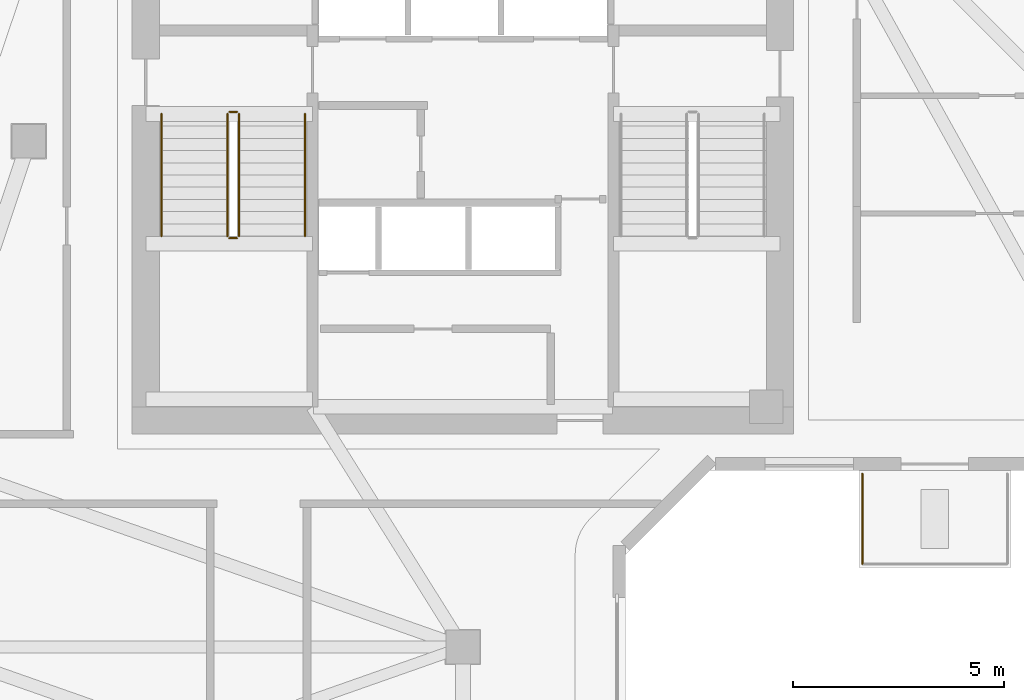
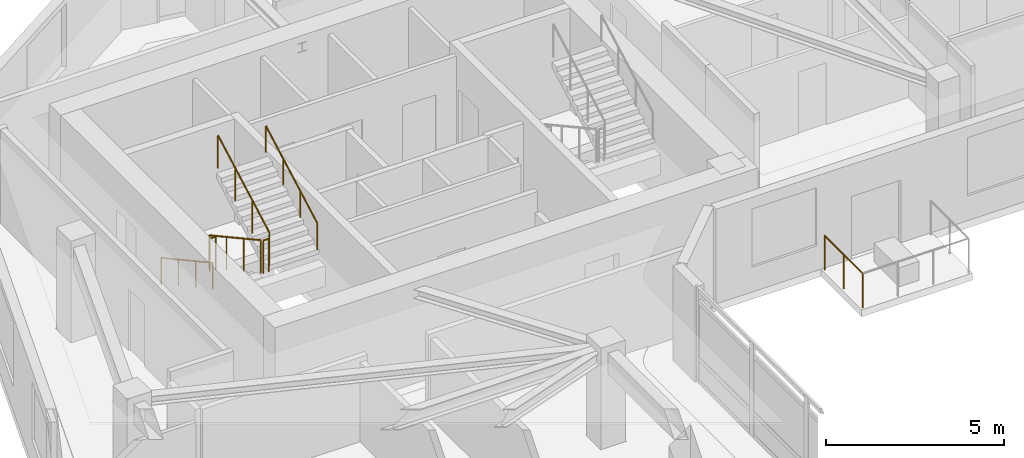
# One storey, part 7 of 9: 7 railings.
"""IFC4 building model written with IfcOpenShell, lengths in metres."""

from ifc_helpers import new_model, si_unit, direction, frame, origin, origin_2d, place, context, subcontext, project, spatial, circle, extrude, material, type_object, element, save


model = new_model("IFC4")

# Units and contexts
model_context = context("Model", 3, precision=1e-05, world=origin(), true_north=direction((0.0, 1.0)))
body_context = subcontext(model_context, "Body", "Model", "MODEL_VIEW")
ifc_project = project(units=[si_unit("LENGTHUNIT", "METRE"), si_unit("AREAUNIT", "SQUARE_METRE"), si_unit("VOLUMEUNIT", "CUBIC_METRE"), si_unit("PLANEANGLEUNIT", "RADIAN"), si_unit("MASSUNIT", "GRAM", prefix="KILO")], contexts=[model_context])

# Site, building, storey
site_placement = place(None, origin())
site = spatial("IfcSite", under=ifc_project, at=site_placement, CompositionType="ELEMENT")
building_placement = place(site_placement, origin())
building = spatial("IfcBuilding", under=site, at=building_placement, Name="Calvemar Wedge Station Tower", CompositionType="ELEMENT")
storey_placement = place(building_placement, frame((0.0, 0.0, 232.39990234375)))
storey = spatial("IfcBuildingStorey", under=building, at=storey_placement, Name="L59", CompositionType="ELEMENT", Elevation=232.39990234375)

# Railings
ifc_material_1 = material(Name="Stainless steel AISI 316L", Category="steel")
railing_type_1 = type_object("IfcRailingType", Name="GRD-TERR-1200", PredefinedType="GUARDRAIL", material=ifc_material_1)
railing_1_placement = place(storey_placement, frame((33.280029296875, 30.471923828125, 0.0)))
element("IfcRailing", 1, at=railing_1_placement, inside=storey, type_object=railing_type_1, Name="Storey L59 Spiral Terrace Guard 4", PredefinedType="GUARDRAIL", context=body_context, shape_type="SweptSolid", body=[
    extrude(circle(Radius=0.02392578125, at=origin_2d()), frame((0.0, 0.0, 1.17578125), z_axis=(0.0, 1.0, 0.0), x_axis=(-1.0, 0.0, 0.0)), (0.0, 0.0, 1.0), 2.14013671875),
    extrude(circle(Radius=0.02099609375, at=origin_2d()), origin(), (0.0, 0.0, 1.0), 1.15185546875),
    extrude(circle(Radius=0.02099609375, at=origin_2d()), frame((0.0, 1.070068359375, 0.0)), (0.0, 0.0, 1.0), 1.15185546875),
    extrude(circle(Radius=0.02099609375, at=origin_2d()), frame((0.0, 2.14013671875, 0.0)), (0.0, 0.0, 1.0), 1.15185546875),
])
railing_type_2 = type_object("IfcRailingType", Name="RL-HANDRAIL-920", PredefinedType="HANDRAIL", material=ifc_material_1)
railing_2_placement = place(storey_placement, frame((16.64990234375, 41.14990234375, 0.1591796875)))
element("IfcRailing", 2, at=railing_2_placement, inside=storey, type_object=railing_type_2, Name="L59 ST-C1 stair handrail 1", PredefinedType="HANDRAIL", context=body_context, shape_type="SweptSolid", body=[
    extrude(circle(Radius=0.02392578125, at=origin_2d()), frame((0.0, 0.0, 0.89599609375), z_axis=(0.0, -0.876742130028, 0.480960744171), x_axis=(1.0, 0.0, 0.0)), (0.0, 0.0, 1.0), 3.3076171875),
    extrude(circle(Radius=0.02099609375, at=origin_2d()), origin(), (0.0, 0.0, 1.0), 0.871826171875),
    extrude(circle(Radius=0.02099609375, at=origin_2d()), frame((0.0, -0.966552734375, 0.5302734375)), (0.0, 0.0, 1.0), 0.871826171875),
    extrude(circle(Radius=0.02099609375, at=origin_2d()), frame((0.0, -1.933349609375, 1.060546875)), (0.0, 0.0, 1.0), 0.871826171875),
    extrude(circle(Radius=0.02099609375, at=origin_2d()), frame((0.0, -2.89990234375, 1.5908203125)), (0.0, 0.0, 1.0), 0.871826171875),
])
railing_3_placement = place(storey_placement, frame((20.050048828125, 38.25, 1.9091796875)))
element("IfcRailing", 3, at=railing_3_placement, inside=storey, type_object=railing_type_2, Name="L59 ST-C1 stair handrail 2", PredefinedType="HANDRAIL", context=body_context, shape_type="SweptSolid", body=[
    extrude(circle(Radius=0.02392578125, at=origin_2d()), frame((0.0, 0.0, 0.89599609375), z_axis=(0.0, 0.876742130028, 0.480960744171), x_axis=(-1.0, 0.0, 0.0)), (0.0, 0.0, 1.0), 3.3076171875),
    extrude(circle(Radius=0.02099609375, at=origin_2d()), origin(), (0.0, 0.0, 1.0), 0.871826171875),
    extrude(circle(Radius=0.02099609375, at=origin_2d()), frame((0.0, 0.966552734375, 0.5302734375)), (0.0, 0.0, 1.0), 0.871826171875),
    extrude(circle(Radius=0.02099609375, at=origin_2d()), frame((0.0, 1.933349609375, 1.060546875)), (0.0, 0.0, 1.0), 0.871826171875),
    extrude(circle(Radius=0.02099609375, at=origin_2d()), frame((0.0, 2.89990234375, 1.5908203125)), (0.0, 0.0, 1.0), 0.871826171875),
])
ifc_material_2 = material(Name="Painted steel guardrail ASTM A500 Grade C", Category="steel")
railing_type_3 = type_object("IfcRailingType", Name="RL-STAIR-GUARD-1150", PredefinedType="GUARDRAIL", material=ifc_material_2)
railing_4_placement = place(storey_placement, frame((18.2099609375, 41.14990234375, 0.1591796875)))
element("IfcRailing", 4, at=railing_4_placement, inside=storey, type_object=railing_type_3, Name="L59 ST-C1 stair guard 1", PredefinedType="GUARDRAIL", context=body_context, shape_type="SweptSolid", body=[
    extrude(circle(Radius=0.02392578125, at=origin_2d()), frame((0.0, 0.0, 1.1259765625), z_axis=(0.0, -0.876742130028, 0.480960744171), x_axis=(1.0, 0.0, 0.0)), (0.0, 0.0, 1.0), 3.3076171875),
    extrude(circle(Radius=0.02099609375, at=origin_2d()), origin(), (0.0, 0.0, 1.0), 1.101806640625),
    extrude(circle(Radius=0.02099609375, at=origin_2d()), frame((0.0, -0.966552734375, 0.5302734375)), (0.0, 0.0, 1.0), 1.101806640625),
    extrude(circle(Radius=0.02099609375, at=origin_2d()), frame((0.0, -1.933349609375, 1.060546875)), (0.0, 0.0, 1.0), 1.101806640625),
    extrude(circle(Radius=0.02099609375, at=origin_2d()), frame((0.0, -2.89990234375, 1.5908203125)), (0.0, 0.0, 1.0), 1.101806640625),
])
railing_5_placement = place(storey_placement, frame((18.260009765625, 38.199951171875, 1.75)))
element("IfcRailing", 5, at=railing_5_placement, inside=storey, type_object=railing_type_3, Name="L59 ST-C1 stair guard 2", PredefinedType="GUARDRAIL", context=body_context, shape_type="SweptSolid", body=[
    extrude(circle(Radius=0.02392578125, at=origin_2d()), frame((0.0, 0.0, 1.1259765625), z_axis=(1.0, 0.0, 0.0), x_axis=(0.0, 1.0, 0.0)), (0.0, 0.0, 1.0), 0.179931640625),
    extrude(circle(Radius=0.02099609375, at=origin_2d()), origin(), (0.0, 0.0, 1.0), 1.101806640625),
    extrude(circle(Radius=0.02099609375, at=origin_2d()), frame((0.179931640625, 0.0, 0.0)), (0.0, 0.0, 1.0), 1.101806640625),
])
railing_6_placement = place(storey_placement, frame((18.489990234375, 38.25, 1.9091796875)))
element("IfcRailing", 6, at=railing_6_placement, inside=storey, type_object=railing_type_3, Name="L59 ST-C1 stair guard 3", PredefinedType="GUARDRAIL", context=body_context, shape_type="SweptSolid", body=[
    extrude(circle(Radius=0.02392578125, at=origin_2d()), frame((0.0, 0.0, 1.1259765625), z_axis=(0.0, 0.876742130028, 0.480960744171), x_axis=(-1.0, 0.0, 0.0)), (0.0, 0.0, 1.0), 3.3076171875),
    extrude(circle(Radius=0.02099609375, at=origin_2d()), origin(), (0.0, 0.0, 1.0), 1.101806640625),
    extrude(circle(Radius=0.02099609375, at=origin_2d()), frame((0.0, 0.966552734375, 0.5302734375)), (0.0, 0.0, 1.0), 1.101806640625),
    extrude(circle(Radius=0.02099609375, at=origin_2d()), frame((0.0, 1.933349609375, 1.060546875)), (0.0, 0.0, 1.0), 1.101806640625),
    extrude(circle(Radius=0.02099609375, at=origin_2d()), frame((0.0, 2.89990234375, 1.5908203125)), (0.0, 0.0, 1.0), 1.101806640625),
])
railing_7_placement = place(storey_placement, frame((18.260009765625, 41.199951171875, 0.0)))
element("IfcRailing", 7, at=railing_7_placement, inside=storey, type_object=railing_type_3, Name="L59 ST-C1 stair guard 4", PredefinedType="GUARDRAIL", context=body_context, shape_type="SweptSolid", body=[
    extrude(circle(Radius=0.02392578125, at=origin_2d()), frame((0.0, 0.0, 1.1259765625), z_axis=(1.0, 0.0, 0.0), x_axis=(0.0, 1.0, 0.0)), (0.0, 0.0, 1.0), 0.179931640625),
    extrude(circle(Radius=0.02099609375, at=origin_2d()), origin(), (0.0, 0.0, 1.0), 1.101806640625),
    extrude(circle(Radius=0.02099609375, at=origin_2d()), frame((0.179931640625, 0.0, 0.0)), (0.0, 0.0, 1.0), 1.101806640625),
])

save(model, "model.ifc")
